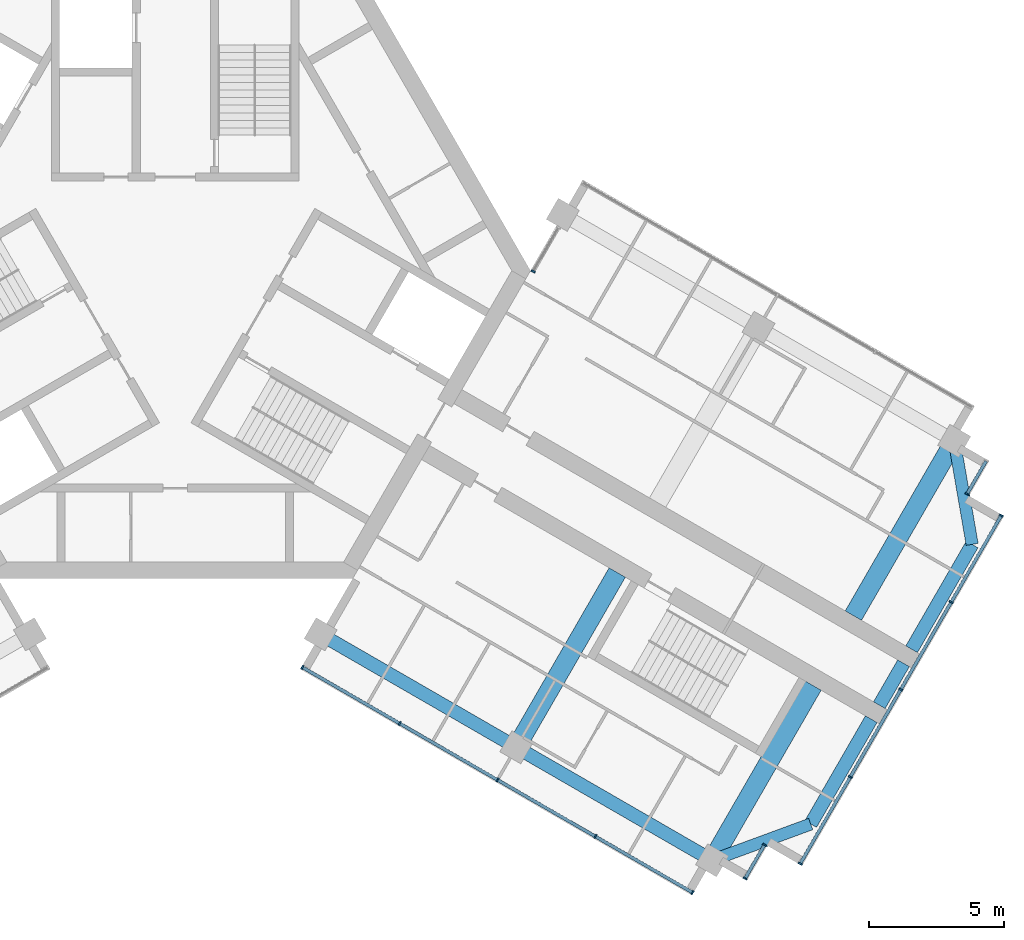
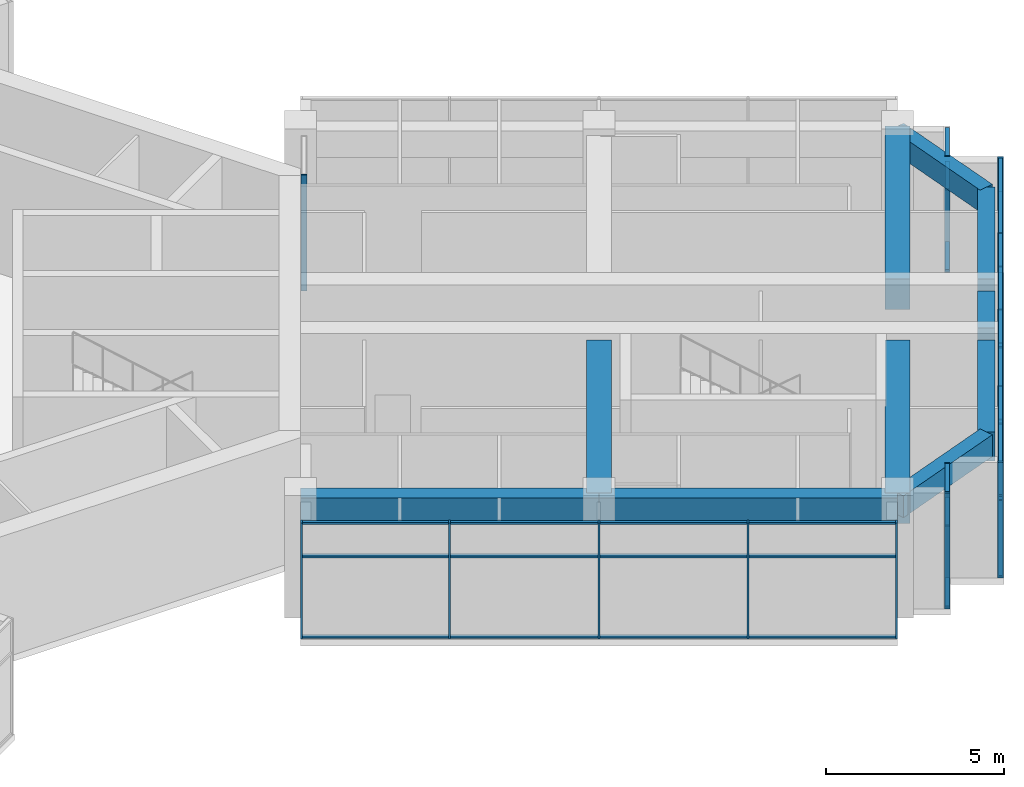
# One storey, part 4 of 15: 44 members, 10 beams, 5 elements without a shape of their own.
"""IFC4 building model written with IfcOpenShell, lengths in metres."""

from ifc_helpers import new_model, si_unit, direction, frame, origin, origin_2d, place, context, subcontext, project, spatial, rectangle, extrude, material, material_profile, profile_set, type_object, element, aggregate, save


model = new_model("IFC4")

# Units and contexts
model_context = context("Model", 3, precision=1e-05, world=origin(), true_north=direction((0.0, 1.0)))
body_context = subcontext(model_context, "Body", "Model", "MODEL_VIEW")
ifc_project = project(units=[si_unit("LENGTHUNIT", "METRE"), si_unit("AREAUNIT", "SQUARE_METRE"), si_unit("VOLUMEUNIT", "CUBIC_METRE"), si_unit("PLANEANGLEUNIT", "RADIAN"), si_unit("MASSUNIT", "GRAM", prefix="KILO")], contexts=[model_context])

# Site, building, storey
site_placement = place(None, origin())
site = spatial("IfcSite", under=ifc_project, at=site_placement, CompositionType="ELEMENT")
building_placement = place(site_placement, origin())
building = spatial("IfcBuilding", under=site, at=building_placement, Name="Impinga Residences", CompositionType="ELEMENT")
storey_placement = place(building_placement, frame((0.0, 0.0, 274.75)))
storey = spatial("IfcBuildingStorey", under=building, at=storey_placement, Name="L69", CompositionType="ELEMENT", Elevation=274.75)

# Beams
ifc_material_1 = material(Name="Concrete C60/75", Category="concrete")
ifc_material_profile_1 = material_profile(ifc_material_1, rectangle(XDim=0.449951171875, YDim=0.75, at=origin_2d()), Name="RC 450x750")
ifc_profile_set_1 = profile_set([ifc_material_profile_1], Name="Concrete C60/75")
beam_type_1 = type_object("IfcBeamType", Name="CB1 450x750 wing end cantilever beam", PredefinedType="BEAM", material=ifc_profile_set_1)
beam_1_placement = place(storey_placement, frame((28.94921875, -6.321533203125, 3.60498046875), z_axis=(0.170296298948, -0.985392901621, 0.0), x_axis=(0.985392901621, 0.170296298948, 0.0)))
element("IfcBeam", 1, at=beam_1_placement, inside=storey, type_object=beam_type_1, Name="Beam CB1 EB E3-EX level L70", PredefinedType="BEAM", context=body_context, shape_type="SweptSolid", body=[
    extrude(rectangle(XDim=0.449951171875, YDim=0.75, at=origin_2d()), origin(), (0.0, 0.0, 1.0), 3.9052734375),
])
beam_2_placement = place(storey_placement, frame((19.94921875, -21.909912109375, 3.60498046875), z_axis=(0.93854043338, 0.345169313396, 0.0), x_axis=(-0.345169313396, 0.93854043338, 0.0)))
element("IfcBeam", 2, at=beam_2_placement, inside=storey, type_object=beam_type_1, Name="Beam CB1 EE E3-EX level L70", PredefinedType="BEAM", context=body_context, shape_type="SweptSolid", body=[
    extrude(rectangle(XDim=0.449951171875, YDim=0.75, at=origin_2d()), origin(), (0.0, 0.0, 1.0), 3.905029296875),
])
ifc_material_profile_2 = material_profile(ifc_material_1, rectangle(XDim=0.699951171875, YDim=1.050048828125, at=origin_2d()), Name="RC 700x1050")
ifc_profile_set_2 = profile_set([ifc_material_profile_2], Name="Concrete C60/75")
beam_type_2 = type_object("IfcBeamType", Name="CG1 700x1050 cross girder on a wing bay line", PredefinedType="BEAM", material=ifc_profile_set_2)
for number, where, z_axis, x_axis, name in (
    (3, (25.19921875, -12.816650390625, 3.455078125), (0.500004234368, 0.866022959057, 0.0), (-0.866022959057, 0.500004234368, 0.0), "Beam CG1 E3 EC/EA level L70"),
    (4, (16.424560546875, -11.21484375, 3.455078125), (-0.500004234368, -0.866022959057, 0.0), (0.866022959057, -0.500004234368, 0.0), "Beam CG1 E2 EC/EF level L70"),
    (5, (23.69921875, -15.414794921875, 3.455078125), (-0.500004234368, -0.866022959057, 0.0), (0.866022959057, -0.500004234368, 0.0), "Beam CG1 E3 EC/EF level L70"),
):
    element("IfcBeam", number, at=place(storey_placement, frame(where, z_axis=z_axis, x_axis=x_axis)), inside=storey, type_object=beam_type_2, Name=name, PredefinedType="BEAM", context=body_context, shape_type="SweptSolid", body=[
        extrude(rectangle(XDim=0.699951171875, YDim=1.050048828125, at=origin_2d()), origin(), (0.0, 0.0, 1.0), 7.5),
    ])

# Curtain wall, member
ifc_material_2 = material(Name="Aluminium stick curtain wall", Category="aluminium")
curtain_wall_type = type_object("IfcCurtainWallType", Name="CW3 penthouse curtain wall", PredefinedType="USERDEFINED", material=ifc_material_2)
curtain_wall_1_placement = place(storey_placement, origin())
curtain_wall_1 = element("IfcCurtainWall", 6, at=curtain_wall_1_placement, inside=storey, type_object=curtain_wall_type, Name="Curtain wall CW3 L69", ObjectType="STICK CURTAIN WALL", PredefinedType="USERDEFINED")
ifc_material_3 = material(Name="Aluminium mullion", Category="aluminium")
ifc_material_profile_3 = material_profile(ifc_material_3, rectangle(XDim=0.06005859375, YDim=0.159912109375, at=origin_2d()), Name="60x160 mullion")
ifc_profile_set_3 = profile_set([ifc_material_profile_3], Name="Aluminium mullion")
member_type_1 = type_object("IfcMemberType", Name="CW3-M mullion 60x160", PredefinedType="MULLION", material=ifc_profile_set_3)
member_1_placement = place(storey_placement, frame((13.301513671875, -0.02392578125, 0.0), z_axis=(0.0, 0.0, 1.0), x_axis=(0.50000010257, 0.866025344565, 0.0)))
member_1 = element("IfcMember", 7, at=member_1_placement, type_object=member_type_1, Name="CW3 mullion 1", PredefinedType="MULLION", context=body_context, shape_type="SweptSolid", body=[
    extrude(rectangle(XDim=0.06005859375, YDim=0.159912109375, at=origin_2d()), origin(), (0.0, 0.0, 1.0), 3.97998046875),
])
aggregate(curtain_wall_1, [member_1])

curtain_wall_2_placement = place(storey_placement, origin())
curtain_wall_2 = element("IfcCurtainWall", 8, at=curtain_wall_2_placement, inside=storey, type_object=curtain_wall_type, Name="Curtain wall CW3 L69", ObjectType="STICK CURTAIN WALL", PredefinedType="USERDEFINED")
member_2_placement = place(storey_placement, frame((29.4267578125, -8.294677734375, 0.0), z_axis=(0.0, 0.0, 1.0), x_axis=(-0.500000030502, -0.866025386174, 0.0)))
member_2 = element("IfcMember", 9, at=member_2_placement, type_object=member_type_1, Name="CW3 mullion 2", PredefinedType="MULLION", context=body_context, shape_type="SweptSolid", body=[
    extrude(rectangle(XDim=0.06005859375, YDim=0.159912109375, at=origin_2d()), origin(), (0.0, 0.0, 1.0), 3.97998046875),
])

# Curtain wall, members
curtain_wall_3_placement = place(storey_placement, origin())
curtain_wall_3 = element("IfcCurtainWall", 10, at=curtain_wall_3_placement, inside=storey, type_object=curtain_wall_type, Name="Curtain wall CW3 L69", ObjectType="STICK CURTAIN WALL", PredefinedType="USERDEFINED")
member_3_placement = place(storey_placement, frame((30.69580078125, -9.0966796875, 0.0), z_axis=(0.0, 0.0, 1.0), x_axis=(-0.500000001632, -0.866025402842, 0.0)))
member_3 = element("IfcMember", 11, at=member_3_placement, type_object=member_type_1, Name="CW3 mullion 1", PredefinedType="MULLION", context=body_context, shape_type="SweptSolid", body=[
    extrude(rectangle(XDim=0.06005859375, YDim=0.159912109375, at=origin_2d()), origin(), (0.0, 0.0, 1.0), 3.97998046875),
])
member_4_placement = place(storey_placement, frame((28.835693359375, -12.318115234375, 0.0), z_axis=(0.0, 0.0, 1.0), x_axis=(-0.500000001632, -0.866025402842, 0.0)))
member_4 = element("IfcMember", 12, at=member_4_placement, type_object=member_type_1, Name="CW3 mullion 2", PredefinedType="MULLION", context=body_context, shape_type="SweptSolid", body=[
    extrude(rectangle(XDim=0.06005859375, YDim=0.159912109375, at=origin_2d()), origin(), (0.0, 0.0, 1.0), 3.97998046875),
])
member_5_placement = place(storey_placement, frame((26.960693359375, -15.565673828125, 0.0), z_axis=(0.0, 0.0, 1.0), x_axis=(-0.500000001632, -0.866025402842, 0.0)))
member_5 = element("IfcMember", 13, at=member_5_placement, type_object=member_type_1, Name="CW3 mullion 3", PredefinedType="MULLION", context=body_context, shape_type="SweptSolid", body=[
    extrude(rectangle(XDim=0.06005859375, YDim=0.159912109375, at=origin_2d()), origin(), (0.0, 0.0, 1.0), 3.97998046875),
])
member_6_placement = place(storey_placement, frame((25.085693359375, -18.8134765625, 0.0), z_axis=(0.0, 0.0, 1.0), x_axis=(-0.500000001632, -0.866025402842, 0.0)))
member_6 = element("IfcMember", 14, at=member_6_placement, type_object=member_type_1, Name="CW3 mullion 4", PredefinedType="MULLION", context=body_context, shape_type="SweptSolid", body=[
    extrude(rectangle(XDim=0.06005859375, YDim=0.159912109375, at=origin_2d()), origin(), (0.0, 0.0, 1.0), 3.97998046875),
])
member_7_placement = place(storey_placement, frame((23.2255859375, -22.034912109375, 0.0), z_axis=(0.0, 0.0, 1.0), x_axis=(-0.500000001632, -0.866025402842, 0.0)))
member_7 = element("IfcMember", 15, at=member_7_placement, type_object=member_type_1, Name="CW3 mullion 5", PredefinedType="MULLION", context=body_context, shape_type="SweptSolid", body=[
    extrude(rectangle(XDim=0.06005859375, YDim=0.159912109375, at=origin_2d()), origin(), (0.0, 0.0, 1.0), 3.97998046875),
])

curtain_wall_4_placement = place(storey_placement, origin())
curtain_wall_4 = element("IfcCurtainWall", 16, at=curtain_wall_4_placement, inside=storey, type_object=curtain_wall_type, Name="Curtain wall CW3 L69", ObjectType="STICK CURTAIN WALL", PredefinedType="USERDEFINED")
member_8_placement = place(storey_placement, frame((21.896728515625, -21.3369140625, 0.0), z_axis=(0.0, 0.0, 1.0), x_axis=(-0.500000030502, -0.866025386174, 0.0)))
member_8 = element("IfcMember", 17, at=member_8_placement, type_object=member_type_1, Name="CW3 mullion 1", PredefinedType="MULLION", context=body_context, shape_type="SweptSolid", body=[
    extrude(rectangle(XDim=0.06005859375, YDim=0.159912109375, at=origin_2d()), origin(), (0.0, 0.0, 1.0), 3.97998046875),
])
member_9_placement = place(storey_placement, frame((21.1767578125, -22.583984375, 0.0), z_axis=(0.0, 0.0, 1.0), x_axis=(-0.500000030502, -0.866025386174, 0.0)))
member_9 = element("IfcMember", 18, at=member_9_placement, type_object=member_type_1, Name="CW3 mullion 2", PredefinedType="MULLION", context=body_context, shape_type="SweptSolid", body=[
    extrude(rectangle(XDim=0.06005859375, YDim=0.159912109375, at=origin_2d()), origin(), (0.0, 0.0, 1.0), 3.97998046875),
])

curtain_wall_5_placement = place(storey_placement, origin())
curtain_wall_5 = element("IfcCurtainWall", 19, at=curtain_wall_5_placement, inside=storey, type_object=curtain_wall_type, Name="Curtain wall CW3 L69", ObjectType="STICK CURTAIN WALL", PredefinedType="USERDEFINED")
member_10_placement = place(storey_placement, frame((19.22314453125, -23.107421875, 0.0), z_axis=(0.0, 0.0, 1.0), x_axis=(-0.866025407005, 0.499999994423, 0.0)))
member_10 = element("IfcMember", 20, at=member_10_placement, type_object=member_type_1, Name="CW3 mullion 1", PredefinedType="MULLION", context=body_context, shape_type="SweptSolid", body=[
    extrude(rectangle(XDim=0.06005859375, YDim=0.159912109375, at=origin_2d()), origin(), (0.0, 0.0, 1.0), 3.97998046875),
])
member_11_placement = place(storey_placement, frame((15.61181640625, -21.0224609375, 0.0), z_axis=(0.0, 0.0, 1.0), x_axis=(-0.866025407005, 0.499999994423, 0.0)))
member_11 = element("IfcMember", 21, at=member_11_placement, type_object=member_type_1, Name="CW3 mullion 2", PredefinedType="MULLION", context=body_context, shape_type="SweptSolid", body=[
    extrude(rectangle(XDim=0.06005859375, YDim=0.159912109375, at=origin_2d()), origin(), (0.0, 0.0, 1.0), 3.97998046875),
])
member_12_placement = place(storey_placement, frame((11.974609375, -18.92236328125, 0.0), z_axis=(0.0, 0.0, 1.0), x_axis=(-0.866025407005, 0.499999994423, 0.0)))
member_12 = element("IfcMember", 22, at=member_12_placement, type_object=member_type_1, Name="CW3 mullion 3", PredefinedType="MULLION", context=body_context, shape_type="SweptSolid", body=[
    extrude(rectangle(XDim=0.06005859375, YDim=0.159912109375, at=origin_2d()), origin(), (0.0, 0.0, 1.0), 3.97998046875),
])
member_13_placement = place(storey_placement, frame((8.33740234375, -16.822509765625, 0.0), z_axis=(0.0, 0.0, 1.0), x_axis=(-0.866025407005, 0.499999994423, 0.0)))
member_13 = element("IfcMember", 23, at=member_13_placement, type_object=member_type_1, Name="CW3 mullion 4", PredefinedType="MULLION", context=body_context, shape_type="SweptSolid", body=[
    extrude(rectangle(XDim=0.06005859375, YDim=0.159912109375, at=origin_2d()), origin(), (0.0, 0.0, 1.0), 3.97998046875),
])
member_14_placement = place(storey_placement, frame((4.72607421875, -14.737548828125, 0.0), z_axis=(0.0, 0.0, 1.0), x_axis=(-0.866025407005, 0.499999994423, 0.0)))
member_14 = element("IfcMember", 24, at=member_14_placement, type_object=member_type_1, Name="CW3 mullion 5", PredefinedType="MULLION", context=body_context, shape_type="SweptSolid", body=[
    extrude(rectangle(XDim=0.06005859375, YDim=0.159912109375, at=origin_2d()), origin(), (0.0, 0.0, 1.0), 3.97998046875),
])

# Member
ifc_material_4 = material(Name="Aluminium transom", Category="aluminium")
ifc_material_profile_4 = material_profile(ifc_material_4, rectangle(XDim=0.06005859375, YDim=0.1201171875, at=origin_2d()), Name="60x120 transom")
ifc_profile_set_4 = profile_set([ifc_material_profile_4], Name="Aluminium transom")
member_type_2 = type_object("IfcMemberType", Name="CW3-T transom 60x120", PredefinedType="USERDEFINED", material=ifc_profile_set_4)
member_15_placement = place(storey_placement, frame((30.131591796875, -7.073486328125, 0.030029296875), z_axis=(-0.499982807329, -0.86603532975, 0.0), x_axis=(0.0, 0.0, 1.0)))
member_15 = element("IfcMember", 25, at=member_15_placement, type_object=member_type_2, Name="CW3 transom 1.1", ObjectType="TRANSOM", PredefinedType="USERDEFINED", context=body_context, shape_type="SweptSolid", body=[
    extrude(rectangle(XDim=0.06005859375, YDim=0.1201171875, at=origin_2d()), origin(), (0.0, 0.0, 1.0), 1.3798828125),
])

member_16_placement = place(storey_placement, frame((30.131591796875, -7.073486328125, 2.800048828125), z_axis=(-0.499982807329, -0.86603532975, 0.0), x_axis=(0.0, 0.0, 1.0)))
member_16 = element("IfcMember", 26, at=member_16_placement, type_object=member_type_2, Name="CW3 transom 1.2", ObjectType="TRANSOM", PredefinedType="USERDEFINED", context=body_context, shape_type="SweptSolid", body=[
    extrude(rectangle(XDim=0.06005859375, YDim=0.1201171875, at=origin_2d()), origin(), (0.0, 0.0, 1.0), 1.3798828125),
])

member_17_placement = place(storey_placement, frame((30.131591796875, -7.073486328125, 3.949951171875), z_axis=(-0.499982807329, -0.86603532975, 0.0), x_axis=(0.0, 0.0, 1.0)))
member_17 = element("IfcMember", 27, at=member_17_placement, type_object=member_type_2, Name="CW3 transom 1.3", ObjectType="TRANSOM", PredefinedType="USERDEFINED", context=body_context, shape_type="SweptSolid", body=[
    extrude(rectangle(XDim=0.06005859375, YDim=0.1201171875, at=origin_2d()), origin(), (0.0, 0.0, 1.0), 1.3798828125),
])

aggregate(curtain_wall_2, [member_2, member_15, member_16, member_17])

member_18_placement = place(storey_placement, frame((30.6806640625, -9.12255859375, 0.030029296875), z_axis=(-0.500013080017, -0.866017851902, 0.0), x_axis=(0.0, 0.0, 1.0)))
member_18 = element("IfcMember", 28, at=member_18_placement, type_object=member_type_2, Name="CW3 transom 1.1", ObjectType="TRANSOM", PredefinedType="USERDEFINED", context=body_context, shape_type="SweptSolid", body=[
    extrude(rectangle(XDim=0.06005859375, YDim=0.1201171875, at=origin_2d()), origin(), (0.0, 0.0, 1.0), 3.66015625),
])

member_19_placement = place(storey_placement, frame((30.6806640625, -9.12255859375, 2.800048828125), z_axis=(-0.500013080017, -0.866017851902, 0.0), x_axis=(0.0, 0.0, 1.0)))
member_19 = element("IfcMember", 29, at=member_19_placement, type_object=member_type_2, Name="CW3 transom 1.2", ObjectType="TRANSOM", PredefinedType="USERDEFINED", context=body_context, shape_type="SweptSolid", body=[
    extrude(rectangle(XDim=0.06005859375, YDim=0.1201171875, at=origin_2d()), origin(), (0.0, 0.0, 1.0), 3.66015625),
])

member_20_placement = place(storey_placement, frame((30.6806640625, -9.12255859375, 3.949951171875), z_axis=(-0.500013080017, -0.866017851902, 0.0), x_axis=(0.0, 0.0, 1.0)))
member_20 = element("IfcMember", 30, at=member_20_placement, type_object=member_type_2, Name="CW3 transom 1.3", ObjectType="TRANSOM", PredefinedType="USERDEFINED", context=body_context, shape_type="SweptSolid", body=[
    extrude(rectangle(XDim=0.06005859375, YDim=0.1201171875, at=origin_2d()), origin(), (0.0, 0.0, 1.0), 3.66015625),
])

member_21_placement = place(storey_placement, frame((28.82080078125, -12.34423828125, 0.030029296875), z_axis=(-0.500052713345, -0.865994967581, 0.0), x_axis=(0.0, 0.0, 1.0)))
member_21 = element("IfcMember", 31, at=member_21_placement, type_object=member_type_2, Name="CW3 transom 2.1", ObjectType="TRANSOM", PredefinedType="USERDEFINED", context=body_context, shape_type="SweptSolid", body=[
    extrude(rectangle(XDim=0.06005859375, YDim=0.1201171875, at=origin_2d()), origin(), (0.0, 0.0, 1.0), 3.68994140625),
])

member_22_placement = place(storey_placement, frame((28.82080078125, -12.34423828125, 2.800048828125), z_axis=(-0.500052713345, -0.865994967581, 0.0), x_axis=(0.0, 0.0, 1.0)))
member_22 = element("IfcMember", 32, at=member_22_placement, type_object=member_type_2, Name="CW3 transom 2.2", ObjectType="TRANSOM", PredefinedType="USERDEFINED", context=body_context, shape_type="SweptSolid", body=[
    extrude(rectangle(XDim=0.06005859375, YDim=0.1201171875, at=origin_2d()), origin(), (0.0, 0.0, 1.0), 3.68994140625),
])

member_23_placement = place(storey_placement, frame((28.82080078125, -12.34423828125, 3.949951171875), z_axis=(-0.500052713345, -0.865994967581, 0.0), x_axis=(0.0, 0.0, 1.0)))
member_23 = element("IfcMember", 33, at=member_23_placement, type_object=member_type_2, Name="CW3 transom 2.3", ObjectType="TRANSOM", PredefinedType="USERDEFINED", context=body_context, shape_type="SweptSolid", body=[
    extrude(rectangle(XDim=0.06005859375, YDim=0.1201171875, at=origin_2d()), origin(), (0.0, 0.0, 1.0), 3.68994140625),
])

member_24_placement = place(storey_placement, frame((26.94580078125, -15.591796875, 0.030029296875), z_axis=(-0.500052713345, -0.865994967581, 0.0), x_axis=(0.0, 0.0, 1.0)))
member_24 = element("IfcMember", 34, at=member_24_placement, type_object=member_type_2, Name="CW3 transom 3.1", ObjectType="TRANSOM", PredefinedType="USERDEFINED", context=body_context, shape_type="SweptSolid", body=[
    extrude(rectangle(XDim=0.06005859375, YDim=0.1201171875, at=origin_2d()), origin(), (0.0, 0.0, 1.0), 3.68994140625),
])

member_25_placement = place(storey_placement, frame((26.94580078125, -15.591796875, 2.800048828125), z_axis=(-0.500052713345, -0.865994967581, 0.0), x_axis=(0.0, 0.0, 1.0)))
member_25 = element("IfcMember", 35, at=member_25_placement, type_object=member_type_2, Name="CW3 transom 3.2", ObjectType="TRANSOM", PredefinedType="USERDEFINED", context=body_context, shape_type="SweptSolid", body=[
    extrude(rectangle(XDim=0.06005859375, YDim=0.1201171875, at=origin_2d()), origin(), (0.0, 0.0, 1.0), 3.68994140625),
])

member_26_placement = place(storey_placement, frame((26.94580078125, -15.591796875, 3.949951171875), z_axis=(-0.500052713345, -0.865994967581, 0.0), x_axis=(0.0, 0.0, 1.0)))
member_26 = element("IfcMember", 36, at=member_26_placement, type_object=member_type_2, Name="CW3 transom 3.3", ObjectType="TRANSOM", PredefinedType="USERDEFINED", context=body_context, shape_type="SweptSolid", body=[
    extrude(rectangle(XDim=0.06005859375, YDim=0.1201171875, at=origin_2d()), origin(), (0.0, 0.0, 1.0), 3.68994140625),
])

member_27_placement = place(storey_placement, frame((25.07080078125, -18.83935546875, 0.030029296875), z_axis=(-0.500013080017, -0.866017851902, 0.0), x_axis=(0.0, 0.0, 1.0)))
member_27 = element("IfcMember", 37, at=member_27_placement, type_object=member_type_2, Name="CW3 transom 4.1", ObjectType="TRANSOM", PredefinedType="USERDEFINED", context=body_context, shape_type="SweptSolid", body=[
    extrude(rectangle(XDim=0.06005859375, YDim=0.1201171875, at=origin_2d()), origin(), (0.0, 0.0, 1.0), 3.66015625),
])

member_28_placement = place(storey_placement, frame((25.07080078125, -18.83935546875, 2.800048828125), z_axis=(-0.500013080017, -0.866017851902, 0.0), x_axis=(0.0, 0.0, 1.0)))
member_28 = element("IfcMember", 38, at=member_28_placement, type_object=member_type_2, Name="CW3 transom 4.2", ObjectType="TRANSOM", PredefinedType="USERDEFINED", context=body_context, shape_type="SweptSolid", body=[
    extrude(rectangle(XDim=0.06005859375, YDim=0.1201171875, at=origin_2d()), origin(), (0.0, 0.0, 1.0), 3.66015625),
])

member_29_placement = place(storey_placement, frame((25.07080078125, -18.83935546875, 3.949951171875), z_axis=(-0.500013080017, -0.866017851902, 0.0), x_axis=(0.0, 0.0, 1.0)))
member_29 = element("IfcMember", 39, at=member_29_placement, type_object=member_type_2, Name="CW3 transom 4.3", ObjectType="TRANSOM", PredefinedType="USERDEFINED", context=body_context, shape_type="SweptSolid", body=[
    extrude(rectangle(XDim=0.06005859375, YDim=0.1201171875, at=origin_2d()), origin(), (0.0, 0.0, 1.0), 3.66015625),
])

aggregate(curtain_wall_3, [member_3, member_4, member_5, member_6, member_7, member_18, member_19, member_20, member_21, member_22, member_23, member_24, member_25, member_26, member_27, member_28, member_29])

member_30_placement = place(storey_placement, frame((21.881591796875, -21.363037109375, 0.030029296875), z_axis=(-0.499982807329, -0.86603532975, 0.0), x_axis=(0.0, 0.0, 1.0)))
member_30 = element("IfcMember", 40, at=member_30_placement, type_object=member_type_2, Name="CW3 transom 1.1", ObjectType="TRANSOM", PredefinedType="USERDEFINED", context=body_context, shape_type="SweptSolid", body=[
    extrude(rectangle(XDim=0.06005859375, YDim=0.1201171875, at=origin_2d()), origin(), (0.0, 0.0, 1.0), 1.3798828125),
])

member_31_placement = place(storey_placement, frame((21.881591796875, -21.363037109375, 2.800048828125), z_axis=(-0.499982807329, -0.86603532975, 0.0), x_axis=(0.0, 0.0, 1.0)))
member_31 = element("IfcMember", 41, at=member_31_placement, type_object=member_type_2, Name="CW3 transom 1.2", ObjectType="TRANSOM", PredefinedType="USERDEFINED", context=body_context, shape_type="SweptSolid", body=[
    extrude(rectangle(XDim=0.06005859375, YDim=0.1201171875, at=origin_2d()), origin(), (0.0, 0.0, 1.0), 1.3798828125),
])

member_32_placement = place(storey_placement, frame((21.881591796875, -21.363037109375, 3.949951171875), z_axis=(-0.499982807329, -0.86603532975, 0.0), x_axis=(0.0, 0.0, 1.0)))
member_32 = element("IfcMember", 42, at=member_32_placement, type_object=member_type_2, Name="CW3 transom 1.3", ObjectType="TRANSOM", PredefinedType="USERDEFINED", context=body_context, shape_type="SweptSolid", body=[
    extrude(rectangle(XDim=0.06005859375, YDim=0.1201171875, at=origin_2d()), origin(), (0.0, 0.0, 1.0), 1.3798828125),
])

aggregate(curtain_wall_4, [member_8, member_9, member_30, member_31, member_32])

member_33_placement = place(storey_placement, frame((19.197265625, -23.092529296875, 0.030029296875), z_axis=(-0.866004557827, 0.500036104519, 0.0), x_axis=(0.0, 0.0, 1.0)))
member_33 = element("IfcMember", 43, at=member_33_placement, type_object=member_type_2, Name="CW3 transom 1.1", ObjectType="TRANSOM", PredefinedType="USERDEFINED", context=body_context, shape_type="SweptSolid", body=[
    extrude(rectangle(XDim=0.06005859375, YDim=0.1201171875, at=origin_2d()), origin(), (0.0, 0.0, 1.0), 4.110107421875),
])

member_34_placement = place(storey_placement, frame((19.197265625, -23.092529296875, 2.800048828125), z_axis=(-0.866004557827, 0.500036104519, 0.0), x_axis=(0.0, 0.0, 1.0)))
member_34 = element("IfcMember", 44, at=member_34_placement, type_object=member_type_2, Name="CW3 transom 1.2", ObjectType="TRANSOM", PredefinedType="USERDEFINED", context=body_context, shape_type="SweptSolid", body=[
    extrude(rectangle(XDim=0.06005859375, YDim=0.1201171875, at=origin_2d()), origin(), (0.0, 0.0, 1.0), 4.110107421875),
])

member_35_placement = place(storey_placement, frame((19.197265625, -23.092529296875, 3.949951171875), z_axis=(-0.866004557827, 0.500036104519, 0.0), x_axis=(0.0, 0.0, 1.0)))
member_35 = element("IfcMember", 45, at=member_35_placement, type_object=member_type_2, Name="CW3 transom 1.3", ObjectType="TRANSOM", PredefinedType="USERDEFINED", context=body_context, shape_type="SweptSolid", body=[
    extrude(rectangle(XDim=0.06005859375, YDim=0.1201171875, at=origin_2d()), origin(), (0.0, 0.0, 1.0), 4.110107421875),
])

member_36_placement = place(storey_placement, frame((15.5859375, -21.00732421875, 0.030029296875), z_axis=(-0.866050071143, 0.499957272447, 0.0), x_axis=(0.0, 0.0, 1.0)))
member_36 = element("IfcMember", 46, at=member_36_placement, type_object=member_type_2, Name="CW3 transom 2.1", ObjectType="TRANSOM", PredefinedType="USERDEFINED", context=body_context, shape_type="SweptSolid", body=[
    extrude(rectangle(XDim=0.06005859375, YDim=0.1201171875, at=origin_2d()), origin(), (0.0, 0.0, 1.0), 4.139892578125),
])

member_37_placement = place(storey_placement, frame((15.5859375, -21.00732421875, 2.800048828125), z_axis=(-0.866050071143, 0.499957272447, 0.0), x_axis=(0.0, 0.0, 1.0)))
member_37 = element("IfcMember", 47, at=member_37_placement, type_object=member_type_2, Name="CW3 transom 2.2", ObjectType="TRANSOM", PredefinedType="USERDEFINED", context=body_context, shape_type="SweptSolid", body=[
    extrude(rectangle(XDim=0.06005859375, YDim=0.1201171875, at=origin_2d()), origin(), (0.0, 0.0, 1.0), 4.139892578125),
])

member_38_placement = place(storey_placement, frame((15.5859375, -21.00732421875, 3.949951171875), z_axis=(-0.866050071143, 0.499957272447, 0.0), x_axis=(0.0, 0.0, 1.0)))
member_38 = element("IfcMember", 48, at=member_38_placement, type_object=member_type_2, Name="CW3 transom 2.3", ObjectType="TRANSOM", PredefinedType="USERDEFINED", context=body_context, shape_type="SweptSolid", body=[
    extrude(rectangle(XDim=0.06005859375, YDim=0.1201171875, at=origin_2d()), origin(), (0.0, 0.0, 1.0), 4.139892578125),
])

member_39_placement = place(storey_placement, frame((11.94873046875, -18.907470703125, 0.030029296875), z_axis=(-0.866024536972, 0.500001501361, 0.0), x_axis=(0.0, 0.0, 1.0)))
member_39 = element("IfcMember", 49, at=member_39_placement, type_object=member_type_2, Name="CW3 transom 3.1", ObjectType="TRANSOM", PredefinedType="USERDEFINED", context=body_context, shape_type="SweptSolid", body=[
    extrude(rectangle(XDim=0.06005859375, YDim=0.1201171875, at=origin_2d()), origin(), (0.0, 0.0, 1.0), 4.14013671875),
])

member_40_placement = place(storey_placement, frame((11.94873046875, -18.907470703125, 2.800048828125), z_axis=(-0.866024536972, 0.500001501361, 0.0), x_axis=(0.0, 0.0, 1.0)))
member_40 = element("IfcMember", 50, at=member_40_placement, type_object=member_type_2, Name="CW3 transom 3.2", ObjectType="TRANSOM", PredefinedType="USERDEFINED", context=body_context, shape_type="SweptSolid", body=[
    extrude(rectangle(XDim=0.06005859375, YDim=0.1201171875, at=origin_2d()), origin(), (0.0, 0.0, 1.0), 4.14013671875),
])

member_41_placement = place(storey_placement, frame((11.94873046875, -18.907470703125, 3.949951171875), z_axis=(-0.866024536972, 0.500001501361, 0.0), x_axis=(0.0, 0.0, 1.0)))
member_41 = element("IfcMember", 51, at=member_41_placement, type_object=member_type_2, Name="CW3 transom 3.3", ObjectType="TRANSOM", PredefinedType="USERDEFINED", context=body_context, shape_type="SweptSolid", body=[
    extrude(rectangle(XDim=0.06005859375, YDim=0.1201171875, at=origin_2d()), origin(), (0.0, 0.0, 1.0), 4.14013671875),
])

member_42_placement = place(storey_placement, frame((8.311279296875, -16.807373046875, 0.030029296875), z_axis=(-0.866030279993, 0.499991554064, 0.0), x_axis=(0.0, 0.0, 1.0)))
member_42 = element("IfcMember", 52, at=member_42_placement, type_object=member_type_2, Name="CW3 transom 4.1", ObjectType="TRANSOM", PredefinedType="USERDEFINED", context=body_context, shape_type="SweptSolid", body=[
    extrude(rectangle(XDim=0.06005859375, YDim=0.1201171875, at=origin_2d()), origin(), (0.0, 0.0, 1.0), 4.10986328125),
])

member_43_placement = place(storey_placement, frame((8.311279296875, -16.807373046875, 2.800048828125), z_axis=(-0.866030279993, 0.499991554064, 0.0), x_axis=(0.0, 0.0, 1.0)))
member_43 = element("IfcMember", 53, at=member_43_placement, type_object=member_type_2, Name="CW3 transom 4.2", ObjectType="TRANSOM", PredefinedType="USERDEFINED", context=body_context, shape_type="SweptSolid", body=[
    extrude(rectangle(XDim=0.06005859375, YDim=0.1201171875, at=origin_2d()), origin(), (0.0, 0.0, 1.0), 4.10986328125),
])

member_44_placement = place(storey_placement, frame((8.311279296875, -16.807373046875, 3.949951171875), z_axis=(-0.866030279993, 0.499991554064, 0.0), x_axis=(0.0, 0.0, 1.0)))
member_44 = element("IfcMember", 54, at=member_44_placement, type_object=member_type_2, Name="CW3 transom 4.3", ObjectType="TRANSOM", PredefinedType="USERDEFINED", context=body_context, shape_type="SweptSolid", body=[
    extrude(rectangle(XDim=0.06005859375, YDim=0.1201171875, at=origin_2d()), origin(), (0.0, 0.0, 1.0), 4.10986328125),
])

aggregate(curtain_wall_5, [member_10, member_11, member_12, member_13, member_14, member_33, member_34, member_35, member_36, member_37, member_38, member_39, member_40, member_41, member_42, member_43, member_44])

# Beams
ifc_material_profile_5 = material_profile(ifc_material_1, rectangle(XDim=0.5, YDim=1.0, at=origin_2d()), Name="RC 500x1000")
ifc_profile_set_5 = profile_set([ifc_material_profile_5], Name="Concrete C60/75")
beam_type_3 = type_object("IfcBeamType", Name="EB1 500x1000 wing end beam", PredefinedType="BEAM", material=ifc_profile_set_5)
beam_3_placement = place(storey_placement, frame((29.6142578125, -10.169677734375, 3.47998046875), z_axis=(-0.500013631625, -0.866017533419, 0.0), x_axis=(0.866017533419, -0.500013631625, 0.0)))
element("IfcBeam", 55, at=beam_3_placement, inside=storey, type_object=beam_type_3, Name="Beam EB1 EX2 level L70", PredefinedType="BEAM", context=body_context, shape_type="SweptSolid", body=[
    extrude(rectangle(XDim=0.5, YDim=1.0, at=origin_2d()), origin(), (0.0, 0.0, 1.0), 4.499755859375),
])
beam_4_placement = place(storey_placement, frame((27.064208984375, -14.58642578125, 3.47998046875), z_axis=(-0.499961193289, -0.866047807691, 0.0), x_axis=(0.866047807691, -0.499961193289, 0.0)))
element("IfcBeam", 56, at=beam_4_placement, inside=storey, type_object=beam_type_3, Name="Beam EB1 EX2 level L70", PredefinedType="BEAM", context=body_context, shape_type="SweptSolid", body=[
    extrude(rectangle(XDim=0.5, YDim=1.0, at=origin_2d()), origin(), (0.0, 0.0, 1.0), 1.800048828125),
])
beam_5_placement = place(storey_placement, frame((25.8642578125, -16.664794921875, 3.47998046875), z_axis=(-0.499990139034, -0.866031096941, 0.0), x_axis=(0.866031096941, -0.499990139034, 0.0)))
element("IfcBeam", 57, at=beam_5_placement, inside=storey, type_object=beam_type_3, Name="Beam EB1 EX2 level L70", PredefinedType="BEAM", context=body_context, shape_type="SweptSolid", body=[
    extrude(rectangle(XDim=0.5, YDim=1.0, at=origin_2d()), origin(), (0.0, 0.0, 1.0), 4.5),
])
ifc_material_profile_6 = material_profile(ifc_material_1, rectangle(XDim=0.5, YDim=0.89990234375, at=origin_2d()), Name="RC 500x900")
ifc_profile_set_6 = profile_set([ifc_material_profile_6], Name="Concrete C60/75")
beam_type_4 = type_object("IfcBeamType", Name="SB1 500x900 perimeter spandrel beam", PredefinedType="SPANDREL", material=ifc_profile_set_6)
for number, where, z_axis, x_axis, name in (
    (58, (5.39990234375, -13.510009765625, 3.530029296875), (0.86602925447, -0.499993330357, 0.0), (0.499993330357, 0.86602925447, 0.0), "Beam SB1 EF E1-E2 level L70"),
    (59, (12.674560546875, -17.7099609375, 3.530029296875), (0.86602925447, -0.499993330357, 0.0), (0.499993330357, 0.86602925447, 0.0), "Beam SB1 EF E2-E3 level L70"),
):
    element("IfcBeam", number, at=place(storey_placement, frame(where, z_axis=z_axis, x_axis=x_axis)), inside=storey, type_object=beam_type_4, Name=name, PredefinedType="SPANDREL", context=body_context, shape_type="SweptSolid", body=[
        extrude(rectangle(XDim=0.5, YDim=0.89990234375, at=origin_2d()), origin(), (0.0, 0.0, 1.0), 8.39990234375),
    ])

save(model, "model.ifc")
